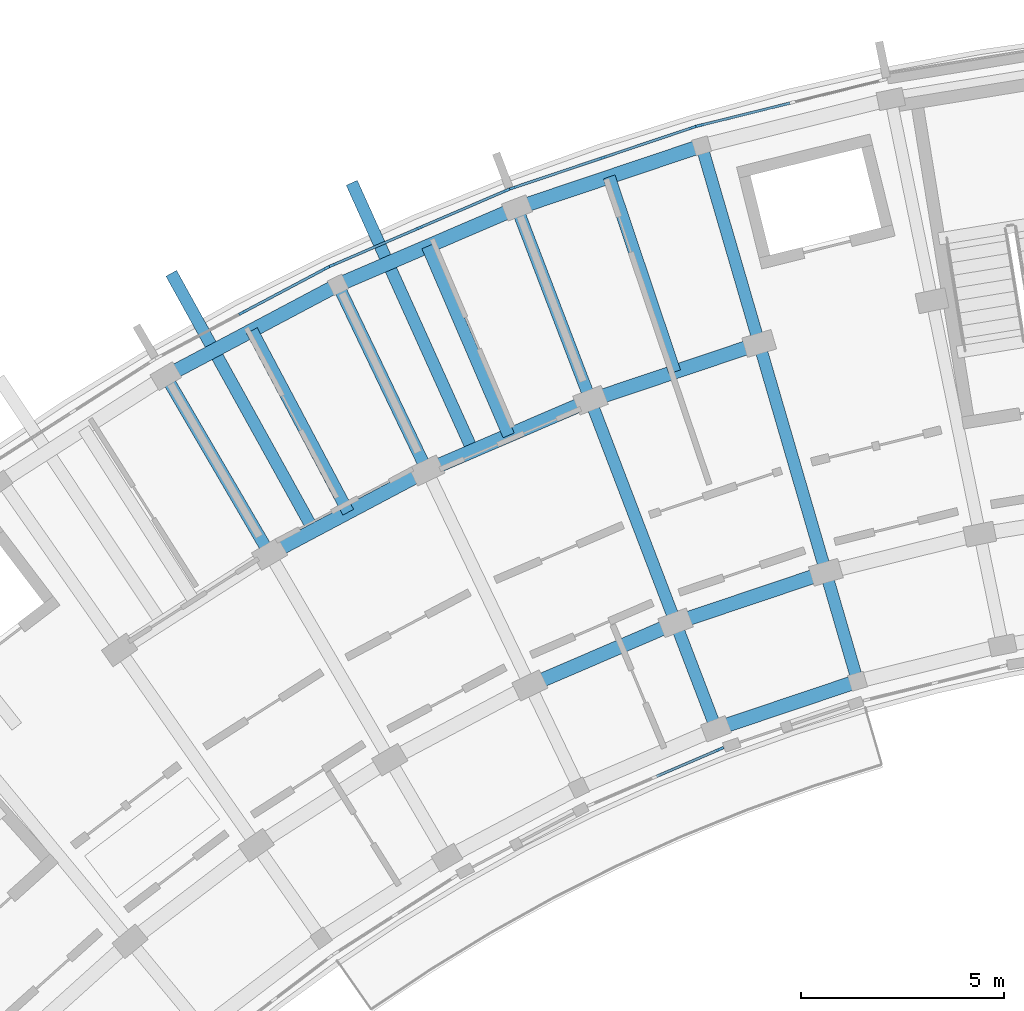
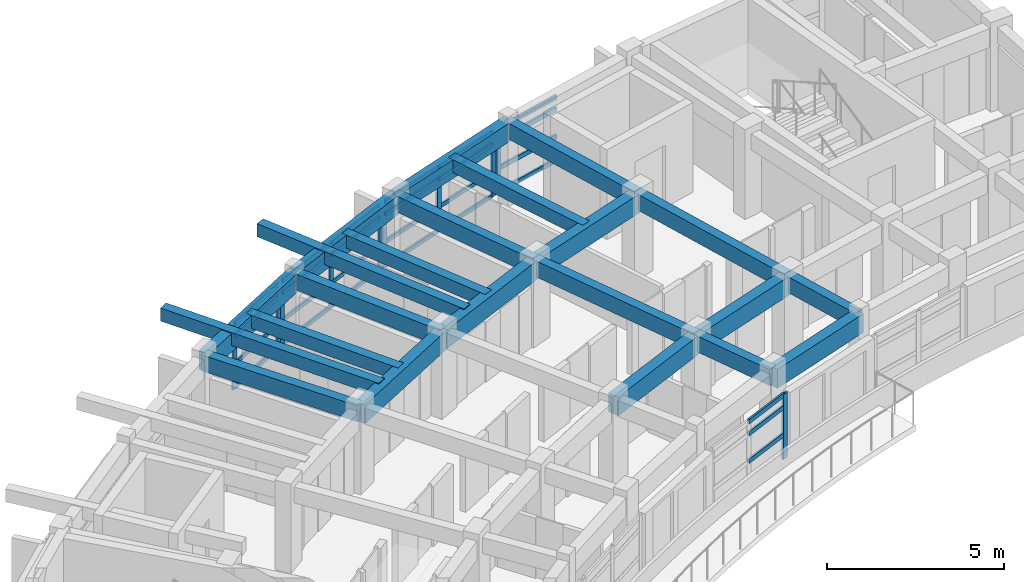
# One storey, part 4 of 38: 37 members, 22 beams, 5 elements without a shape of their own.
"""IFC4 building model written with IfcOpenShell, lengths in metres."""

from ifc_helpers import new_model, si_unit, direction, frame, origin, origin_2d, place, context, subcontext, project, spatial, rectangle, extrude, material, material_profile, profile_set, type_object, element, aggregate, save


model = new_model("IFC4")

# Units and contexts
model_context = context("Model", 3, precision=1e-05, world=origin(), true_north=direction((0.0, 1.0)))
body_context = subcontext(model_context, "Body", "Model", "MODEL_VIEW")
ifc_project = project(units=[si_unit("LENGTHUNIT", "METRE"), si_unit("AREAUNIT", "SQUARE_METRE"), si_unit("VOLUMEUNIT", "CUBIC_METRE"), si_unit("PLANEANGLEUNIT", "RADIAN"), si_unit("MASSUNIT", "GRAM", prefix="KILO")], contexts=[model_context])

# Site, building, storey
site_placement = place(None, origin())
site = spatial("IfcSite", under=ifc_project, at=site_placement, CompositionType="ELEMENT")
building_placement = place(site_placement, origin())
building = spatial("IfcBuilding", under=site, at=building_placement, Name="Zimvara Arc Housing Community", CompositionType="ELEMENT")
storey_placement = place(building_placement, frame((0.0, 0.0, 29.800048828125)))
storey = spatial("IfcBuildingStorey", under=building, at=storey_placement, Name="L09", CompositionType="ELEMENT", Elevation=29.800048828125)

# Beams
ifc_material_1 = material(Name="Concrete C40/50", Category="concrete")
ifc_material_profile_1 = material_profile(ifc_material_1, rectangle(XDim=0.300048828125, YDim=0.449951171875, at=origin_2d()), Name="RC 300x450")
ifc_profile_set_1 = profile_set([ifc_material_profile_1], Name="Concrete C40/50")
beam_type_1 = type_object("IfcBeamType", Name="BM-RC-300x450", PredefinedType="JOIST", material=ifc_profile_set_1)
beam_1_placement = place(storey_placement, frame((19.813232421875, 91.9892578125, 2.635009765625), z_axis=(-0.46853732736, 0.883443701019, 0.0), x_axis=(-0.883443701019, -0.46853732736, 0.0)))
element("IfcBeam", 1, at=beam_1_placement, inside=storey, type_object=beam_type_1, Name="bm:blkA:L09:joist:b4", PredefinedType="JOIST", context=body_context, shape_type="SweptSolid", body=[
    extrude(rectangle(XDim=0.300048828125, YDim=0.449951171875, at=origin_2d()), origin(), (0.0, 0.0, 1.0), 5.07568359375),
])
beam_2_placement = place(storey_placement, frame((23.77197265625, 93.885986328125, 2.635009765625), z_axis=(-0.394929109608, 0.918711596958, 0.0), x_axis=(-0.918711596958, -0.394929109608, 0.0)))
element("IfcBeam", 2, at=beam_2_placement, inside=storey, type_object=beam_type_1, Name="bm:blkA:L09:joist:b5", PredefinedType="JOIST", context=body_context, shape_type="SweptSolid", body=[
    extrude(rectangle(XDim=0.300048828125, YDim=0.449951171875, at=origin_2d()), origin(), (0.0, 0.0, 1.0), 5.075927734375),
])
beam_3_placement = place(storey_placement, frame((27.8720703125, 95.453369140625, 2.635009765625), z_axis=(-0.318607669836, 0.947886677152, 0.0), x_axis=(-0.947886677152, -0.318607669836, 0.0)))
element("IfcBeam", 3, at=beam_3_placement, inside=storey, type_object=beam_type_1, Name="bm:blkA:L09:joist:b6", PredefinedType="JOIST", context=body_context, shape_type="SweptSolid", body=[
    extrude(rectangle(XDim=0.300048828125, YDim=0.449951171875, at=origin_2d()), origin(), (0.0, 0.0, 1.0), 5.07568359375),
])
for number, where, z_axis, x_axis, name in (
    (4, (18.942138671875, 91.568359375, 2.6650390625), (-0.4843274379, 0.874886811477, 0.0), (-0.874886811477, -0.4843274379, 0.0), "bm:blkA:L09:cant_out:b4"),
    (5, (22.869384765625, 93.53759765625, 2.6650390625), (-0.411355676266, 0.91147490783, 0.0), (-0.91147490783, -0.411355676266, 0.0), "bm:blkA:L09:cant_out:b5"),
):
    element("IfcBeam", number, at=place(storey_placement, frame(where, z_axis=z_axis, x_axis=x_axis)), inside=storey, type_object=beam_type_1, Name=name, PredefinedType="JOIST", context=body_context, shape_type="SweptSolid", body=[
        extrude(rectangle(XDim=0.300048828125, YDim=0.449951171875, at=origin_2d()), origin(), (0.0, 0.0, 1.0), 7.219970703125),
    ])
ifc_material_2 = material(Name="Concrete C40/50", Category="concrete")
ifc_material_profile_2 = material_profile(ifc_material_2, rectangle(XDim=0.300048828125, YDim=0.550048828125, at=origin_2d()), Name="RC 300x550")
ifc_profile_set_2 = profile_set([ifc_material_profile_2], Name="Concrete C40/50")
beam_type_2 = type_object("IfcBeamType", Name="BM-RC-300x550", PredefinedType="BEAM", material=ifc_profile_set_2)
beam_4_placement = place(storey_placement, frame((17.87255859375, 90.960205078125, 2.5849609375), z_axis=(-0.504196701544, 0.863588840915, 0.0), x_axis=(-0.863588840915, -0.504196701544, 0.0)))
element("IfcBeam", 6, at=beam_4_placement, inside=storey, type_object=beam_type_2, Name="bm:blkA:L09:rad:b4:r23", PredefinedType="BEAM", context=body_context, shape_type="SweptSolid", body=[
    extrude(rectangle(XDim=0.300048828125, YDim=0.550048828125, at=origin_2d()), origin(), (0.0, 0.0, 1.0), 5.079833984375),
])
beam_5_placement = place(storey_placement, frame((21.75390625, 93.0185546875, 2.5849609375), z_axis=(-0.432098194978, 0.901826563091, 0.0), x_axis=(-0.901826563091, -0.432098194978, 0.0)))
element("IfcBeam", 7, at=beam_5_placement, inside=storey, type_object=beam_type_2, Name="bm:blkA:L09:rad:b5:r23", PredefinedType="BEAM", context=body_context, shape_type="SweptSolid", body=[
    extrude(rectangle(XDim=0.300048828125, YDim=0.550048828125, at=origin_2d()), origin(), (0.0, 0.0, 1.0), 5.080078125),
])
beam_6_placement = place(storey_placement, frame((28.88916015625, 86.645751953125, 2.5849609375), z_axis=(-0.357079289134, 0.934074076972, 0.0), x_axis=(-0.934074076972, -0.357079289134, 0.0)))
element("IfcBeam", 8, at=beam_6_placement, inside=storey, type_object=beam_type_2, Name="bm:blkA:L09:rad:b6:r01", PredefinedType="BEAM", context=body_context, shape_type="SweptSolid", body=[
    extrude(rectangle(XDim=0.300048828125, YDim=0.550048828125, at=origin_2d()), origin(), (0.0, 0.0, 1.0), 2.7998046875),
])
beam_7_placement = place(storey_placement, frame((27.889404296875, 89.260986328125, 2.5849609375), z_axis=(-0.357036247742, 0.934090529766, 0.0), x_axis=(-0.934090529766, -0.357036247742, 0.0)))
element("IfcBeam", 9, at=beam_7_placement, inside=storey, type_object=beam_type_2, Name="bm:blkA:L09:rad:b6:r12", PredefinedType="BEAM", context=body_context, shape_type="SweptSolid", body=[
    extrude(rectangle(XDim=0.300048828125, YDim=0.550048828125, at=origin_2d()), origin(), (0.0, 0.0, 1.0), 5.8798828125),
])
beam_8_placement = place(storey_placement, frame((25.7900390625, 94.75341796875, 2.5849609375), z_axis=(-0.357078271386, 0.934074466038, 0.0), x_axis=(-0.934074466038, -0.357078271386, 0.0)))
element("IfcBeam", 10, at=beam_8_placement, inside=storey, type_object=beam_type_2, Name="bm:blkA:L09:rad:b6:r23", PredefinedType="BEAM", context=body_context, shape_type="SweptSolid", body=[
    extrude(rectangle(XDim=0.300048828125, YDim=0.550048828125, at=origin_2d()), origin(), (0.0, 0.0, 1.0), 5.080078125),
])
beam_9_placement = place(storey_placement, frame((32.381591796875, 87.819580078125, 2.5849609375), z_axis=(-0.279635015525, 0.960106378529, 0.0), x_axis=(-0.960106378529, -0.279635015525, 0.0)))
element("IfcBeam", 11, at=beam_9_placement, inside=storey, type_object=beam_type_2, Name="bm:blkA:L09:rad:b7:r01", PredefinedType="BEAM", context=body_context, shape_type="SweptSolid", body=[
    extrude(rectangle(XDim=0.300048828125, YDim=0.550048828125, at=origin_2d()), origin(), (0.0, 0.0, 1.0), 2.800048828125),
])
beam_10_placement = place(storey_placement, frame((31.5986328125, 90.5078125, 2.5849609375), z_axis=(-0.27967473749, 0.960094808449, 0.0), x_axis=(-0.960094808449, -0.27967473749, 0.0)))
element("IfcBeam", 12, at=beam_10_placement, inside=storey, type_object=beam_type_2, Name="bm:blkA:L09:rad:b7:r12", PredefinedType="BEAM", context=body_context, shape_type="SweptSolid", body=[
    extrude(rectangle(XDim=0.300048828125, YDim=0.550048828125, at=origin_2d()), origin(), (0.0, 0.0, 1.0), 5.880126953125),
])
beam_11_placement = place(storey_placement, frame((29.9541015625, 96.1533203125, 2.5849609375), z_axis=(-0.279662254096, 0.960098444762, 0.0), x_axis=(-0.960098444762, -0.279662254096, 0.0)))
element("IfcBeam", 13, at=beam_11_placement, inside=storey, type_object=beam_type_2, Name="bm:blkA:L09:rad:b7:r23", PredefinedType="BEAM", context=body_context, shape_type="SweptSolid", body=[
    extrude(rectangle(XDim=0.300048828125, YDim=0.550048828125, at=origin_2d()), origin(), (0.0, 0.0, 1.0), 5.079833984375),
])
ifc_material_3 = material(Name="Concrete C40/50", Category="concrete")
ifc_material_profile_3 = material_profile(ifc_material_3, rectangle(XDim=0.35009765625, YDim=0.64990234375, at=origin_2d()), Name="RC 350x650")
ifc_profile_set_3 = profile_set([ifc_material_profile_3], Name="Concrete C40/50")
beam_type_3 = type_object("IfcBeamType", Name="BM-RC-350x650", PredefinedType="BEAM", material=ifc_profile_set_3)
beam_12_placement = place(storey_placement, frame((28.88916015625, 86.645751953125, 2.534912109375), z_axis=(0.94789181932, 0.31859237101, 0.0), x_axis=(-0.31859237101, 0.94789181932, 0.0)))
element("IfcBeam", 14, at=beam_12_placement, inside=storey, type_object=beam_type_3, Name="bm:blkA:L09:chord:r0:b6", PredefinedType="BEAM", context=body_context, shape_type="SweptSolid", body=[
    extrude(rectangle(XDim=0.35009765625, YDim=0.64990234375, at=origin_2d()), origin(), (0.0, 0.0, 1.0), 3.684326171875),
])
for number, where, z_axis, x_axis, name in (
    (15, (24.29443359375, 87.7158203125, 2.534912109375), (0.91873144242, 0.394882940514, 0.0), (-0.394882940514, 0.91873144242, 0.0), "bm:blkA:L09:chord:r1:b5"),
    (16, (27.889404296875, 89.260986328125, 2.534912109375), (0.947881689069, 0.31862250945, 0.0), (-0.31862250945, 0.947881689069, 0.0), "bm:blkA:L09:chord:r1:b6"),
):
    element("IfcBeam", number, at=place(storey_placement, frame(where, z_axis=z_axis, x_axis=x_axis)), inside=storey, type_object=beam_type_3, Name=name, PredefinedType="BEAM", context=body_context, shape_type="SweptSolid", body=[
        extrude(rectangle(XDim=0.35009765625, YDim=0.64990234375, at=origin_2d()), origin(), (0.0, 0.0, 1.0), 3.9130859375),
    ])
for number, where, z_axis, x_axis, name in (
    (17, (17.87255859375, 90.960205078125, 2.534912109375), (0.883456526058, 0.468513144496, 0.0), (-0.468513144496, 0.883456526058, 0.0), "bm:blkA:L09:chord:r2:b4"),
    (18, (21.75390625, 93.0185546875, 2.534912109375), (0.918724840088, 0.394898301093, 0.0), (-0.394898301093, 0.918724840088, 0.0), "bm:blkA:L09:chord:r2:b5"),
):
    element("IfcBeam", number, at=place(storey_placement, frame(where, z_axis=z_axis, x_axis=x_axis)), inside=storey, type_object=beam_type_3, Name=name, PredefinedType="BEAM", context=body_context, shape_type="SweptSolid", body=[
        extrude(rectangle(XDim=0.35009765625, YDim=0.64990234375, at=origin_2d()), origin(), (0.0, 0.0, 1.0), 4.393310546875),
    ])
beam_13_placement = place(storey_placement, frame((25.7900390625, 94.75341796875, 2.534912109375), z_axis=(0.947868796036, 0.318660862832, 0.0), x_axis=(-0.318660862832, 0.947868796036, 0.0)))
element("IfcBeam", 19, at=beam_13_placement, inside=storey, type_object=beam_type_3, Name="bm:blkA:L09:chord:r2:b6", PredefinedType="BEAM", context=body_context, shape_type="SweptSolid", body=[
    extrude(rectangle(XDim=0.35009765625, YDim=0.64990234375, at=origin_2d()), origin(), (0.0, 0.0, 1.0), 4.39306640625),
])
beam_14_placement = place(storey_placement, frame((15.311279296875, 95.34716796875, 2.534912109375), z_axis=(0.883445542299, 0.468533855546, 0.0), x_axis=(-0.468533855546, 0.883445542299, 0.0)))
element("IfcBeam", 20, at=beam_14_placement, inside=storey, type_object=beam_type_3, Name="bm:blkA:L09:chord:r3:b4", PredefinedType="BEAM", context=body_context, shape_type="SweptSolid", body=[
    extrude(rectangle(XDim=0.35009765625, YDim=0.64990234375, at=origin_2d()), origin(), (0.0, 0.0, 1.0), 4.807861328125),
])
beam_15_placement = place(storey_placement, frame((19.558837890625, 97.599853515625, 2.534912109375), z_axis=(0.918724276228, 0.394899612901, 0.0), x_axis=(-0.394899612901, 0.918724276228, 0.0)))
element("IfcBeam", 21, at=beam_15_placement, inside=storey, type_object=beam_type_3, Name="bm:blkA:L09:chord:r3:b5", PredefinedType="BEAM", context=body_context, shape_type="SweptSolid", body=[
    extrude(rectangle(XDim=0.35009765625, YDim=0.64990234375, at=origin_2d()), origin(), (0.0, 0.0, 1.0), 4.80810546875),
])
beam_16_placement = place(storey_placement, frame((23.97607421875, 99.49853515625, 2.534912109375), z_axis=(0.947877948153, 0.31863363822, 0.0), x_axis=(-0.31863363822, 0.947877948153, 0.0)))
element("IfcBeam", 22, at=beam_16_placement, inside=storey, type_object=beam_type_3, Name="bm:blkA:L09:chord:r3:b6", PredefinedType="BEAM", context=body_context, shape_type="SweptSolid", body=[
    extrude(rectangle(XDim=0.35009765625, YDim=0.64990234375, at=origin_2d()), origin(), (0.0, 0.0, 1.0), 4.807861328125),
])

# Curtain wall, members
ifc_material_4 = material(Name="Anodised Aluminium AW-6063", Category="aluminium")
curtain_wall_type_1 = type_object("IfcCurtainWallType", Name="CW-SYS-02", PredefinedType="USERDEFINED", material=ifc_material_4)
curtain_wall_1_placement = place(storey_placement, origin())
curtain_wall_1 = element("IfcCurtainWall", 23, at=curtain_wall_1_placement, inside=storey, type_object=curtain_wall_type_1, Name="cw:blkA:L09:out:b5", ObjectType="CURTAIN WALL", PredefinedType="USERDEFINED")
ifc_material_5 = material(Name="Anodised Aluminium AW-6063", Category="aluminium")
ifc_material_profile_4 = material_profile(ifc_material_5, rectangle(XDim=0.06494140625, YDim=0.179931640625, at=origin_2d()), Name="ALU 65x180")
ifc_profile_set_4 = profile_set([ifc_material_profile_4], Name="Anodised Aluminium AW-6063")
member_type_1 = type_object("IfcMemberType", Name="CWM-65x150", PredefinedType="MULLION", material=ifc_profile_set_4)
member_1_placement = place(storey_placement, frame((19.427734375, 98.08740234375, 0.0), z_axis=(0.0, 0.0, 1.0), x_axis=(-0.394904211998, 0.918722299363, 0.0)))
member_1 = element("IfcMember", 24, at=member_1_placement, type_object=member_type_1, Name="CW02 mullion 1", PredefinedType="MULLION", context=body_context, shape_type="SweptSolid", body=[
    extrude(rectangle(XDim=0.06494140625, YDim=0.179931640625, at=origin_2d()), origin(), (0.0, 0.0, 1.0), 2.25),
])
member_2_placement = place(storey_placement, frame((21.570068359375, 99.00830078125, 0.0), z_axis=(0.0, 0.0, 1.0), x_axis=(-0.394904211998, 0.918722299363, 0.0)))
member_2 = element("IfcMember", 25, at=member_2_placement, type_object=member_type_1, Name="CW02 mullion 2", PredefinedType="MULLION", context=body_context, shape_type="SweptSolid", body=[
    extrude(rectangle(XDim=0.06494140625, YDim=0.179931640625, at=origin_2d()), origin(), (0.0, 0.0, 1.0), 2.25),
])
member_3_placement = place(storey_placement, frame((23.712646484375, 99.92919921875, 0.0), z_axis=(0.0, 0.0, 1.0), x_axis=(-0.394904211998, 0.918722299363, 0.0)))
member_3 = element("IfcMember", 26, at=member_3_placement, type_object=member_type_1, Name="CW02 mullion 3", PredefinedType="MULLION", context=body_context, shape_type="SweptSolid", body=[
    extrude(rectangle(XDim=0.06494140625, YDim=0.179931640625, at=origin_2d()), origin(), (0.0, 0.0, 1.0), 2.25),
])

ifc_material_6 = material(Name="Anodised Aluminium AW-6063", Category="aluminium")
curtain_wall_type_2 = type_object("IfcCurtainWallType", Name="CW-SYS-04", PredefinedType="USERDEFINED", material=ifc_material_6)
curtain_wall_2_placement = place(storey_placement, origin())
curtain_wall_2 = element("IfcCurtainWall", 27, at=curtain_wall_2_placement, inside=storey, type_object=curtain_wall_type_2, Name="cw:blkA:L09:out:b6", ObjectType="CURTAIN WALL", PredefinedType="USERDEFINED")
member_4_placement = place(storey_placement, frame((23.88525390625, 99.9951171875, 0.0), z_axis=(0.0, 0.0, 1.0), x_axis=(-0.318628583921, 0.947879647164, 0.0)))
member_4 = element("IfcMember", 28, at=member_4_placement, type_object=member_type_1, Name="CW04 mullion 1", PredefinedType="MULLION", context=body_context, shape_type="SweptSolid", body=[
    extrude(rectangle(XDim=0.06494140625, YDim=0.179931640625, at=origin_2d()), origin(), (0.0, 0.0, 1.0), 2.25),
])
member_5_placement = place(storey_placement, frame((26.095703125, 100.73828125, 0.0), z_axis=(0.0, 0.0, 1.0), x_axis=(-0.318628583921, 0.947879647164, 0.0)))
member_5 = element("IfcMember", 29, at=member_5_placement, type_object=member_type_1, Name="CW04 mullion 2", PredefinedType="MULLION", context=body_context, shape_type="SweptSolid", body=[
    extrude(rectangle(XDim=0.06494140625, YDim=0.179931640625, at=origin_2d()), origin(), (0.0, 0.0, 1.0), 2.25),
])
member_6_placement = place(storey_placement, frame((28.305908203125, 101.481201171875, 0.0), z_axis=(0.0, 0.0, 1.0), x_axis=(-0.318628583921, 0.947879647164, 0.0)))
member_6 = element("IfcMember", 30, at=member_6_placement, type_object=member_type_1, Name="CW04 mullion 3", PredefinedType="MULLION", context=body_context, shape_type="SweptSolid", body=[
    extrude(rectangle(XDim=0.06494140625, YDim=0.179931640625, at=origin_2d()), origin(), (0.0, 0.0, 1.0), 2.25),
])

ifc_material_7 = material(Name="Anodised Aluminium AW-6063", Category="aluminium")
curtain_wall_type_3 = type_object("IfcCurtainWallType", Name="CW-SYS-01", PredefinedType="USERDEFINED", material=ifc_material_7)
curtain_wall_3_placement = place(storey_placement, origin())
curtain_wall_3 = element("IfcCurtainWall", 31, at=curtain_wall_3_placement, inside=storey, type_object=curtain_wall_type_3, Name="cw:blkA:L09:out:b4", ObjectType="CURTAIN WALL", PredefinedType="USERDEFINED")
ifc_material_8 = material(Name="Anodised Aluminium AW-6063", Category="aluminium")
ifc_material_profile_5 = material_profile(ifc_material_8, rectangle(XDim=0.06494140625, YDim=0.195068359375, at=origin_2d()), Name="ALU 65x195")
ifc_profile_set_5 = profile_set([ifc_material_profile_5], Name="Anodised Aluminium AW-6063")
member_type_2 = type_object("IfcMemberType", Name="CWM-65x180", PredefinedType="MULLION", material=ifc_profile_set_5)
member_7_placement = place(storey_placement, frame((17.200927734375, 96.914794921875, 0.0), z_axis=(0.0, 0.0, 1.0), x_axis=(-0.468546917761, 0.883438614651, 0.0)))
member_7 = element("IfcMember", 32, at=member_7_placement, type_object=member_type_2, Name="CW01 mullion 2", PredefinedType="MULLION", context=body_context, shape_type="SweptSolid", body=[
    extrude(rectangle(XDim=0.06494140625, YDim=0.195068359375, at=origin_2d()), origin(), (0.0, 0.0, 1.0), 2.25),
])
member_8_placement = place(storey_placement, frame((19.260986328125, 98.007568359375, 0.0), z_axis=(0.0, 0.0, 1.0), x_axis=(-0.468546917761, 0.883438614651, 0.0)))
member_8 = element("IfcMember", 33, at=member_8_placement, type_object=member_type_2, Name="CW01 mullion 3", PredefinedType="MULLION", context=body_context, shape_type="SweptSolid", body=[
    extrude(rectangle(XDim=0.06494140625, YDim=0.195068359375, at=origin_2d()), origin(), (0.0, 0.0, 1.0), 2.25),
])

# Curtain wall, member
ifc_material_9 = material(Name="Anodised Aluminium AW-6063", Category="aluminium")
curtain_wall_type_4 = type_object("IfcCurtainWallType", Name="CW-SYS-03", PredefinedType="USERDEFINED", material=ifc_material_9)
curtain_wall_4_placement = place(storey_placement, origin())
curtain_wall_4 = element("IfcCurtainWall", 34, at=curtain_wall_4_placement, inside=storey, type_object=curtain_wall_type_4, Name="cw:blkA:L09:in:b5", ObjectType="CURTAIN WALL", PredefinedType="USERDEFINED")
member_9_placement = place(storey_placement, frame((28.98291015625, 86.14208984375, 0.0), z_axis=(0.0, 0.0, 1.0), x_axis=(-0.394904493375, 0.918722178415, 0.0)))
member_9 = element("IfcMember", 35, at=member_9_placement, type_object=member_type_2, Name="CW03 mullion 3", PredefinedType="MULLION", context=body_context, shape_type="SweptSolid", body=[
    extrude(rectangle(XDim=0.06494140625, YDim=0.195068359375, at=origin_2d()), origin(), (0.0, 0.0, 1.0), 2.25),
])

ifc_material_10 = material(Name="Anodised Aluminium AW-6063", Category="aluminium")
curtain_wall_type_5 = type_object("IfcCurtainWallType", Name="CW-SYS-05", PredefinedType="USERDEFINED", material=ifc_material_10)
curtain_wall_5_placement = place(storey_placement, origin())
curtain_wall_5 = element("IfcCurtainWall", 36, at=curtain_wall_5_placement, inside=storey, type_object=curtain_wall_type_5, Name="cw:blkA:L09:out:b7", ObjectType="CURTAIN WALL", PredefinedType="USERDEFINED")
member_10_placement = place(storey_placement, frame((28.4833984375, 101.532958984375, 0.0), z_axis=(0.0, 0.0, 1.0), x_axis=(-0.240229711131, 0.970716068627, 0.0)))
member_10 = element("IfcMember", 37, at=member_10_placement, type_object=member_type_2, Name="CW05 mullion 1", PredefinedType="MULLION", context=body_context, shape_type="SweptSolid", body=[
    extrude(rectangle(XDim=0.06494140625, YDim=0.195068359375, at=origin_2d()), origin(), (0.0, 0.0, 1.0), 2.25),
])

# Member
ifc_material_11 = material(Name="Anodised Aluminium AW-6063", Category="aluminium")
ifc_material_profile_6 = material_profile(ifc_material_11, rectangle(XDim=0.06494140625, YDim=0.139892578125, at=origin_2d()), Name="ALU 65x140")
ifc_profile_set_6 = profile_set([ifc_material_profile_6], Name="Anodised Aluminium AW-6063")
member_type_3 = type_object("IfcMemberType", Name="CWT-65x120", PredefinedType="USERDEFINED", material=ifc_profile_set_6)
member_11_placement = place(storey_placement, frame((19.45751953125, 98.10009765625, 0.032470703125), z_axis=(0.918721157939, 0.394906867444, 0.0), x_axis=(-0.394906867444, 0.918721157939, 0.0)))
member_11 = element("IfcMember", 38, at=member_11_placement, type_object=member_type_3, Name="CW02 transom 1.1", ObjectType="TRANSOM", PredefinedType="USERDEFINED", context=body_context, shape_type="SweptSolid", body=[
    extrude(rectangle(XDim=0.06494140625, YDim=0.139892578125, at=origin_2d()), origin(), (0.0, 0.0, 1.0), 2.26708984375),
])

member_12_placement = place(storey_placement, frame((19.45751953125, 98.10009765625, 0.849853515625), z_axis=(0.918721157939, 0.394906867444, 0.0), x_axis=(-0.394906867444, 0.918721157939, 0.0)))
member_12 = element("IfcMember", 39, at=member_12_placement, type_object=member_type_3, Name="CW02 transom 1.2", ObjectType="TRANSOM", PredefinedType="USERDEFINED", context=body_context, shape_type="SweptSolid", body=[
    extrude(rectangle(XDim=0.06494140625, YDim=0.139892578125, at=origin_2d()), origin(), (0.0, 0.0, 1.0), 2.26708984375),
])

member_13_placement = place(storey_placement, frame((19.45751953125, 98.10009765625, 1.800048828125), z_axis=(0.918721157939, 0.394906867444, 0.0), x_axis=(-0.394906867444, 0.918721157939, 0.0)))
member_13 = element("IfcMember", 40, at=member_13_placement, type_object=member_type_3, Name="CW02 transom 1.3", ObjectType="TRANSOM", PredefinedType="USERDEFINED", context=body_context, shape_type="SweptSolid", body=[
    extrude(rectangle(XDim=0.06494140625, YDim=0.139892578125, at=origin_2d()), origin(), (0.0, 0.0, 1.0), 2.26708984375),
])

member_14_placement = place(storey_placement, frame((19.45751953125, 98.10009765625, 2.217529296875), z_axis=(0.918721157939, 0.394906867444, 0.0), x_axis=(-0.394906867444, 0.918721157939, 0.0)))
member_14 = element("IfcMember", 41, at=member_14_placement, type_object=member_type_3, Name="CW02 transom 1.4", ObjectType="TRANSOM", PredefinedType="USERDEFINED", context=body_context, shape_type="SweptSolid", body=[
    extrude(rectangle(XDim=0.06494140625, YDim=0.139892578125, at=origin_2d()), origin(), (0.0, 0.0, 1.0), 2.26708984375),
])

member_15_placement = place(storey_placement, frame((21.60009765625, 99.02099609375, 0.032470703125), z_axis=(0.918704360712, 0.394945942641, 0.0), x_axis=(-0.394945942641, 0.918704360712, 0.0)))
member_15 = element("IfcMember", 42, at=member_15_placement, type_object=member_type_3, Name="CW02 transom 2.1", ObjectType="TRANSOM", PredefinedType="USERDEFINED", context=body_context, shape_type="SweptSolid", body=[
    extrude(rectangle(XDim=0.06494140625, YDim=0.139892578125, at=origin_2d()), origin(), (0.0, 0.0, 1.0), 2.266845703125),
])

member_16_placement = place(storey_placement, frame((21.60009765625, 99.02099609375, 0.849853515625), z_axis=(0.918704360712, 0.394945942641, 0.0), x_axis=(-0.394945942641, 0.918704360712, 0.0)))
member_16 = element("IfcMember", 43, at=member_16_placement, type_object=member_type_3, Name="CW02 transom 2.2", ObjectType="TRANSOM", PredefinedType="USERDEFINED", context=body_context, shape_type="SweptSolid", body=[
    extrude(rectangle(XDim=0.06494140625, YDim=0.139892578125, at=origin_2d()), origin(), (0.0, 0.0, 1.0), 2.266845703125),
])

member_17_placement = place(storey_placement, frame((21.60009765625, 99.02099609375, 1.800048828125), z_axis=(0.918704360712, 0.394945942641, 0.0), x_axis=(-0.394945942641, 0.918704360712, 0.0)))
member_17 = element("IfcMember", 44, at=member_17_placement, type_object=member_type_3, Name="CW02 transom 2.3", ObjectType="TRANSOM", PredefinedType="USERDEFINED", context=body_context, shape_type="SweptSolid", body=[
    extrude(rectangle(XDim=0.06494140625, YDim=0.139892578125, at=origin_2d()), origin(), (0.0, 0.0, 1.0), 2.266845703125),
])

member_18_placement = place(storey_placement, frame((21.60009765625, 99.02099609375, 2.217529296875), z_axis=(0.918704360712, 0.394945942641, 0.0), x_axis=(-0.394945942641, 0.918704360712, 0.0)))
member_18 = element("IfcMember", 45, at=member_18_placement, type_object=member_type_3, Name="CW02 transom 2.4", ObjectType="TRANSOM", PredefinedType="USERDEFINED", context=body_context, shape_type="SweptSolid", body=[
    extrude(rectangle(XDim=0.06494140625, YDim=0.139892578125, at=origin_2d()), origin(), (0.0, 0.0, 1.0), 2.266845703125),
])

aggregate(curtain_wall_1, [member_1, member_2, member_3, member_11, member_12, member_13, member_14, member_15, member_16, member_17, member_18])

member_19_placement = place(storey_placement, frame((23.916015625, 100.00537109375, 0.032470703125), z_axis=(0.947861605379, 0.318682250916, 0.0), x_axis=(-0.318682250916, 0.947861605379, 0.0)))
member_19 = element("IfcMember", 46, at=member_19_placement, type_object=member_type_3, Name="CW04 transom 1.1", ObjectType="TRANSOM", PredefinedType="USERDEFINED", context=body_context, shape_type="SweptSolid", body=[
    extrude(rectangle(XDim=0.06494140625, YDim=0.139892578125, at=origin_2d()), origin(), (0.0, 0.0, 1.0), 2.266845703125),
])

member_20_placement = place(storey_placement, frame((23.916015625, 100.00537109375, 0.849853515625), z_axis=(0.947861605379, 0.318682250916, 0.0), x_axis=(-0.318682250916, 0.947861605379, 0.0)))
member_20 = element("IfcMember", 47, at=member_20_placement, type_object=member_type_3, Name="CW04 transom 1.2", ObjectType="TRANSOM", PredefinedType="USERDEFINED", context=body_context, shape_type="SweptSolid", body=[
    extrude(rectangle(XDim=0.06494140625, YDim=0.139892578125, at=origin_2d()), origin(), (0.0, 0.0, 1.0), 2.266845703125),
])

member_21_placement = place(storey_placement, frame((23.916015625, 100.00537109375, 1.800048828125), z_axis=(0.947861605379, 0.318682250916, 0.0), x_axis=(-0.318682250916, 0.947861605379, 0.0)))
member_21 = element("IfcMember", 48, at=member_21_placement, type_object=member_type_3, Name="CW04 transom 1.3", ObjectType="TRANSOM", PredefinedType="USERDEFINED", context=body_context, shape_type="SweptSolid", body=[
    extrude(rectangle(XDim=0.06494140625, YDim=0.139892578125, at=origin_2d()), origin(), (0.0, 0.0, 1.0), 2.266845703125),
])

member_22_placement = place(storey_placement, frame((23.916015625, 100.00537109375, 2.217529296875), z_axis=(0.947861605379, 0.318682250916, 0.0), x_axis=(-0.318682250916, 0.947861605379, 0.0)))
member_22 = element("IfcMember", 49, at=member_22_placement, type_object=member_type_3, Name="CW04 transom 1.4", ObjectType="TRANSOM", PredefinedType="USERDEFINED", context=body_context, shape_type="SweptSolid", body=[
    extrude(rectangle(XDim=0.06494140625, YDim=0.139892578125, at=origin_2d()), origin(), (0.0, 0.0, 1.0), 2.266845703125),
])

member_23_placement = place(storey_placement, frame((26.12646484375, 100.74853515625, 0.032470703125), z_axis=(0.947861605379, 0.318682250916, 0.0), x_axis=(-0.318682250916, 0.947861605379, 0.0)))
member_23 = element("IfcMember", 50, at=member_23_placement, type_object=member_type_3, Name="CW04 transom 2.1", ObjectType="TRANSOM", PredefinedType="USERDEFINED", context=body_context, shape_type="SweptSolid", body=[
    extrude(rectangle(XDim=0.06494140625, YDim=0.139892578125, at=origin_2d()), origin(), (0.0, 0.0, 1.0), 2.266845703125),
])

member_24_placement = place(storey_placement, frame((26.12646484375, 100.74853515625, 0.849853515625), z_axis=(0.947861605379, 0.318682250916, 0.0), x_axis=(-0.318682250916, 0.947861605379, 0.0)))
member_24 = element("IfcMember", 51, at=member_24_placement, type_object=member_type_3, Name="CW04 transom 2.2", ObjectType="TRANSOM", PredefinedType="USERDEFINED", context=body_context, shape_type="SweptSolid", body=[
    extrude(rectangle(XDim=0.06494140625, YDim=0.139892578125, at=origin_2d()), origin(), (0.0, 0.0, 1.0), 2.266845703125),
])

member_25_placement = place(storey_placement, frame((26.12646484375, 100.74853515625, 1.800048828125), z_axis=(0.947861605379, 0.318682250916, 0.0), x_axis=(-0.318682250916, 0.947861605379, 0.0)))
member_25 = element("IfcMember", 52, at=member_25_placement, type_object=member_type_3, Name="CW04 transom 2.3", ObjectType="TRANSOM", PredefinedType="USERDEFINED", context=body_context, shape_type="SweptSolid", body=[
    extrude(rectangle(XDim=0.06494140625, YDim=0.139892578125, at=origin_2d()), origin(), (0.0, 0.0, 1.0), 2.266845703125),
])

member_26_placement = place(storey_placement, frame((26.12646484375, 100.74853515625, 2.217529296875), z_axis=(0.947861605379, 0.318682250916, 0.0), x_axis=(-0.318682250916, 0.947861605379, 0.0)))
member_26 = element("IfcMember", 53, at=member_26_placement, type_object=member_type_3, Name="CW04 transom 2.4", ObjectType="TRANSOM", PredefinedType="USERDEFINED", context=body_context, shape_type="SweptSolid", body=[
    extrude(rectangle(XDim=0.06494140625, YDim=0.139892578125, at=origin_2d()), origin(), (0.0, 0.0, 1.0), 2.266845703125),
])

aggregate(curtain_wall_2, [member_4, member_5, member_6, member_19, member_20, member_21, member_22, member_23, member_24, member_25, member_26])

ifc_material_12 = material(Name="Anodised Aluminium AW-6063", Category="aluminium")
ifc_material_profile_7 = material_profile(ifc_material_12, rectangle(XDim=0.06494140625, YDim=0.155029296875, at=origin_2d()), Name="ALU 65x155")
ifc_profile_set_7 = profile_set([ifc_material_profile_7], Name="Anodised Aluminium AW-6063")
member_type_4 = type_object("IfcMemberType", Name="CWT-65x140", PredefinedType="USERDEFINED", material=ifc_profile_set_7)
member_27_placement = place(storey_placement, frame((17.2294921875, 96.93017578125, 0.032470703125), z_axis=(0.883489114766, 0.468451688107, 0.0), x_axis=(-0.468451688107, 0.883489114766, 0.0)))
member_27 = element("IfcMember", 54, at=member_27_placement, type_object=member_type_4, Name="CW01 transom 2.1", ObjectType="TRANSOM", PredefinedType="USERDEFINED", context=body_context, shape_type="SweptSolid", body=[
    extrude(rectangle(XDim=0.06494140625, YDim=0.155029296875, at=origin_2d()), origin(), (0.0, 0.0, 1.0), 2.26708984375),
])

member_28_placement = place(storey_placement, frame((17.2294921875, 96.93017578125, 0.849853515625), z_axis=(0.883489114766, 0.468451688107, 0.0), x_axis=(-0.468451688107, 0.883489114766, 0.0)))
member_28 = element("IfcMember", 55, at=member_28_placement, type_object=member_type_4, Name="CW01 transom 2.2", ObjectType="TRANSOM", PredefinedType="USERDEFINED", context=body_context, shape_type="SweptSolid", body=[
    extrude(rectangle(XDim=0.06494140625, YDim=0.155029296875, at=origin_2d()), origin(), (0.0, 0.0, 1.0), 2.26708984375),
])

member_29_placement = place(storey_placement, frame((17.2294921875, 96.93017578125, 1.800048828125), z_axis=(0.883489114766, 0.468451688107, 0.0), x_axis=(-0.468451688107, 0.883489114766, 0.0)))
member_29 = element("IfcMember", 56, at=member_29_placement, type_object=member_type_4, Name="CW01 transom 2.3", ObjectType="TRANSOM", PredefinedType="USERDEFINED", context=body_context, shape_type="SweptSolid", body=[
    extrude(rectangle(XDim=0.06494140625, YDim=0.155029296875, at=origin_2d()), origin(), (0.0, 0.0, 1.0), 2.26708984375),
])

member_30_placement = place(storey_placement, frame((17.2294921875, 96.93017578125, 2.217529296875), z_axis=(0.883489114766, 0.468451688107, 0.0), x_axis=(-0.468451688107, 0.883489114766, 0.0)))
member_30 = element("IfcMember", 57, at=member_30_placement, type_object=member_type_4, Name="CW01 transom 2.4", ObjectType="TRANSOM", PredefinedType="USERDEFINED", context=body_context, shape_type="SweptSolid", body=[
    extrude(rectangle(XDim=0.06494140625, YDim=0.155029296875, at=origin_2d()), origin(), (0.0, 0.0, 1.0), 2.26708984375),
])

aggregate(curtain_wall_3, [member_7, member_8, member_27, member_28, member_29, member_30])

member_31_placement = place(storey_placement, frame((27.423828125, 85.471923828125, 0.849853515625), z_axis=(0.918673978315, 0.395016609229, 0.0), x_axis=(-0.395016609229, 0.918673978315, 0.0)))
member_31 = element("IfcMember", 58, at=member_31_placement, type_object=member_type_4, Name="CW03 transom 2.2", ObjectType="TRANSOM", PredefinedType="USERDEFINED", context=body_context, shape_type="SweptSolid", body=[
    extrude(rectangle(XDim=0.06494140625, YDim=0.155029296875, at=origin_2d()), origin(), (0.0, 0.0, 1.0), 1.664306640625),
])

member_32_placement = place(storey_placement, frame((27.423828125, 85.471923828125, 1.800048828125), z_axis=(0.918673978315, 0.395016609229, 0.0), x_axis=(-0.395016609229, 0.918673978315, 0.0)))
member_32 = element("IfcMember", 59, at=member_32_placement, type_object=member_type_4, Name="CW03 transom 2.3", ObjectType="TRANSOM", PredefinedType="USERDEFINED", context=body_context, shape_type="SweptSolid", body=[
    extrude(rectangle(XDim=0.06494140625, YDim=0.155029296875, at=origin_2d()), origin(), (0.0, 0.0, 1.0), 1.664306640625),
])

member_33_placement = place(storey_placement, frame((27.423828125, 85.471923828125, 2.217529296875), z_axis=(0.918673978315, 0.395016609229, 0.0), x_axis=(-0.395016609229, 0.918673978315, 0.0)))
member_33 = element("IfcMember", 60, at=member_33_placement, type_object=member_type_4, Name="CW03 transom 2.4", ObjectType="TRANSOM", PredefinedType="USERDEFINED", context=body_context, shape_type="SweptSolid", body=[
    extrude(rectangle(XDim=0.06494140625, YDim=0.155029296875, at=origin_2d()), origin(), (0.0, 0.0, 1.0), 1.664306640625),
])

aggregate(curtain_wall_4, [member_9, member_31, member_32, member_33])

member_34_placement = place(storey_placement, frame((28.51513671875, 101.540771484375, 0.032470703125), z_axis=(0.970728837212, 0.240178110172, 0.0), x_axis=(-0.240178110172, 0.970728837212, 0.0)))
member_34 = element("IfcMember", 61, at=member_34_placement, type_object=member_type_4, Name="CW05 transom 1.1", ObjectType="TRANSOM", PredefinedType="USERDEFINED", context=body_context, shape_type="SweptSolid", body=[
    extrude(rectangle(XDim=0.06494140625, YDim=0.155029296875, at=origin_2d()), origin(), (0.0, 0.0, 1.0), 2.266845703125),
])

member_35_placement = place(storey_placement, frame((28.51513671875, 101.540771484375, 0.849853515625), z_axis=(0.970728837212, 0.240178110172, 0.0), x_axis=(-0.240178110172, 0.970728837212, 0.0)))
member_35 = element("IfcMember", 62, at=member_35_placement, type_object=member_type_4, Name="CW05 transom 1.2", ObjectType="TRANSOM", PredefinedType="USERDEFINED", context=body_context, shape_type="SweptSolid", body=[
    extrude(rectangle(XDim=0.06494140625, YDim=0.155029296875, at=origin_2d()), origin(), (0.0, 0.0, 1.0), 2.266845703125),
])

member_36_placement = place(storey_placement, frame((28.51513671875, 101.540771484375, 1.800048828125), z_axis=(0.970728837212, 0.240178110172, 0.0), x_axis=(-0.240178110172, 0.970728837212, 0.0)))
member_36 = element("IfcMember", 63, at=member_36_placement, type_object=member_type_4, Name="CW05 transom 1.3", ObjectType="TRANSOM", PredefinedType="USERDEFINED", context=body_context, shape_type="SweptSolid", body=[
    extrude(rectangle(XDim=0.06494140625, YDim=0.155029296875, at=origin_2d()), origin(), (0.0, 0.0, 1.0), 2.266845703125),
])

member_37_placement = place(storey_placement, frame((28.51513671875, 101.540771484375, 2.217529296875), z_axis=(0.970728837212, 0.240178110172, 0.0), x_axis=(-0.240178110172, 0.970728837212, 0.0)))
member_37 = element("IfcMember", 64, at=member_37_placement, type_object=member_type_4, Name="CW05 transom 1.4", ObjectType="TRANSOM", PredefinedType="USERDEFINED", context=body_context, shape_type="SweptSolid", body=[
    extrude(rectangle(XDim=0.06494140625, YDim=0.155029296875, at=origin_2d()), origin(), (0.0, 0.0, 1.0), 2.266845703125),
])

aggregate(curtain_wall_5, [member_10, member_34, member_35, member_36, member_37])

save(model, "model.ifc")
